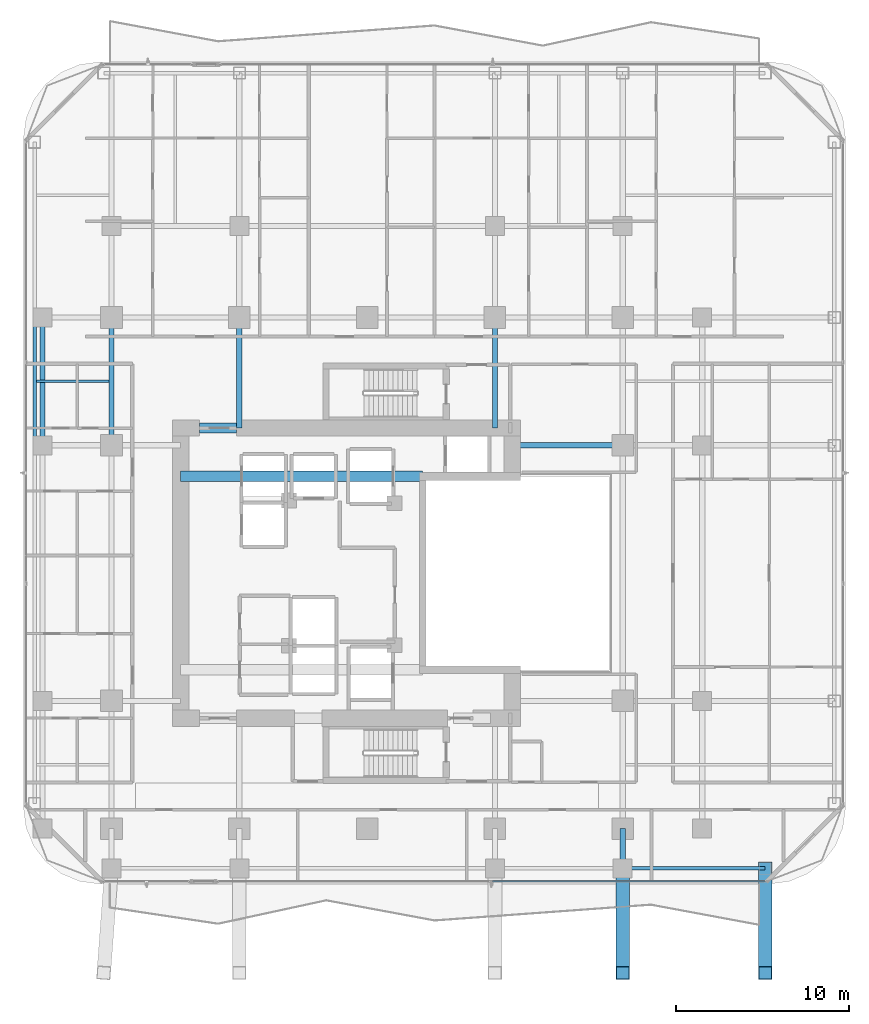
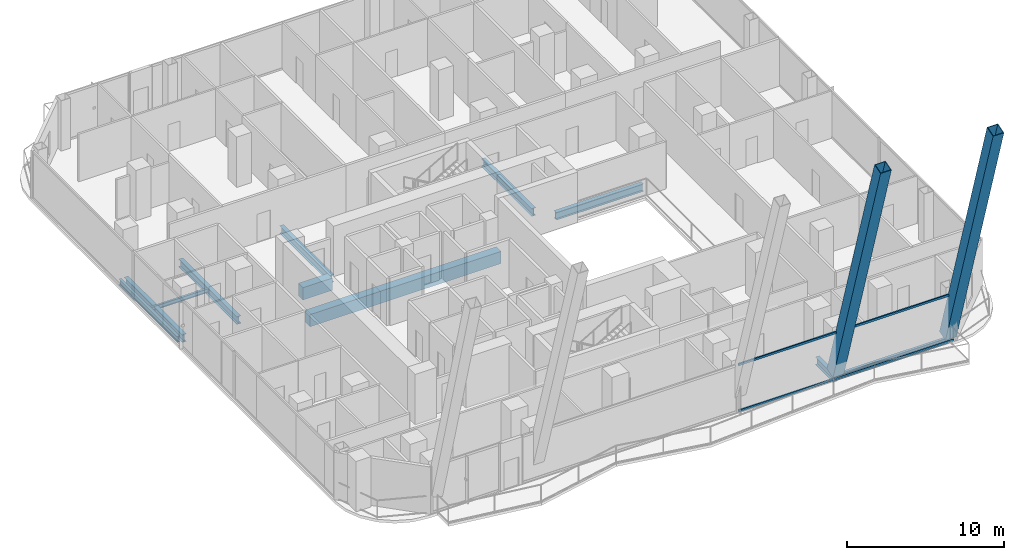
# One storey, part 7 of 30: 11 beams, 4 members, 1 element without a shape of its own.
"""IFC4 building model written with IfcOpenShell, lengths in metres."""

from ifc_helpers import new_model, si_unit, direction, frame, origin, origin_2d, place, context, subcontext, project, spatial, rectangle, hollow_rectangle, i_section, extrude, material, layer, layer_set, material_profile, profile_set, type_object, element, aggregate, save


model = new_model("IFC4")

# Units and contexts
model_context = context("Model", 3, precision=1e-05, world=origin(), true_north=direction((0.0, 1.0)))
body_context = subcontext(model_context, "Body", "Model", "MODEL_VIEW")
ifc_project = project(units=[si_unit("LENGTHUNIT", "METRE"), si_unit("AREAUNIT", "SQUARE_METRE"), si_unit("VOLUMEUNIT", "CUBIC_METRE"), si_unit("PLANEANGLEUNIT", "RADIAN"), si_unit("MASSUNIT", "GRAM", prefix="KILO")], contexts=[model_context])

# Site, building, storey
site_placement = place(None, origin())
site = spatial("IfcSite", under=ifc_project, at=site_placement, CompositionType="ELEMENT")
building_placement = place(site_placement, origin())
building = spatial("IfcBuilding", under=site, at=building_placement, Name="Khorvyn Point Tower", CompositionType="ELEMENT")
storey_placement = place(building_placement, frame((0.0, 0.0, 117.300048828125)))
storey = spatial("IfcBuildingStorey", under=building, at=storey_placement, Name="L29", CompositionType="ELEMENT", Elevation=117.300048828125)

# Curtain wall, members
ifc_material_1 = material(Name="Anodised aluminium 6063-T6 and laminated Low-E glass", Category="aluminium")
ifc_layer = layer(ifc_material_1, 0.18994140625)
ifc_layer_set = layer_set([ifc_layer], Name="Stick-Built Acoustic Curtain Wall CW-SYS-03")
curtain_wall_type = type_object("IfcCurtainWallType", Name="Stick-Built Acoustic Curtain Wall CW-SYS-03", PredefinedType="NOTDEFINED", material=ifc_layer_set)
curtain_wall_placement = place(storey_placement, origin())
curtain_wall = element("IfcCurtainWall", 1, at=curtain_wall_placement, inside=storey, type_object=curtain_wall_type, Name="Curtain Wall", PredefinedType="NOTDEFINED")
ifc_material_2 = material(Name="Anodised aluminium 6063-T6", Category="aluminium")
ifc_material_profile_1 = material_profile(ifc_material_2, hollow_rectangle(XDim=0.10009765625, YDim=0.159912109375, WallThickness=0.00439453125, at=origin_2d()))
ifc_profile_set_1 = profile_set([ifc_material_profile_1], Name="Anodised aluminium 6063-T6 ALU-TRN-100x160")
member_type_1 = type_object("IfcMemberType", Name="Anodised Aluminium 6063-T6 Transom ALU-TRN-100x160", PredefinedType="USERDEFINED", material=ifc_profile_set_1)
member_1_placement = place(storey_placement, frame((23.050048828125, -17.85009765625, 0.050048828125), z_axis=(-1.0, 0.0, 0.0), x_axis=(0.0, -1.0, 0.0)))
member_1 = element("IfcMember", 2, at=member_1_placement, type_object=member_type_1, Name="Transom", ObjectType="TRANSOM", PredefinedType="USERDEFINED", context=body_context, shape_type="SweptSolid", body=[
    extrude(hollow_rectangle(XDim=0.10009765625, YDim=0.159912109375, WallThickness=0.00439453125, at=origin_2d()), origin(), (0.0, 0.0, 1.0), 15.800537109375),
])
member_2_placement = place(storey_placement, frame((23.050048828125, -17.85009765625, 3.6298828125), z_axis=(-1.0, 0.0, 0.0), x_axis=(0.0, -1.0, 0.0)))
member_2 = element("IfcMember", 3, at=member_2_placement, type_object=member_type_1, Name="Transom", ObjectType="TRANSOM", PredefinedType="USERDEFINED", context=body_context, shape_type="SweptSolid", body=[
    extrude(hollow_rectangle(XDim=0.10009765625, YDim=0.159912109375, WallThickness=0.00439453125, at=origin_2d()), origin(), (0.0, 0.0, 1.0), 15.800537109375),
])
aggregate(curtain_wall, [member_1, member_2])

# Beams
ifc_material_3 = material(Name="Concrete C50/60", Category="concrete")
ifc_material_profile_2 = material_profile(ifc_material_3, rectangle(XDim=0.60009765625, YDim=0.949951171875, at=origin_2d()))
ifc_profile_set_2 = profile_set([ifc_material_profile_2], Name="Concrete C50/60 RC600x950")
beam_type_1 = type_object("IfcBeamType", Name="Concrete C50/60 Beam RC600x950", PredefinedType="BEAM", material=ifc_profile_set_2)
beam_1_placement = place(storey_placement, frame((-10.800048828125, 5.60009765625, -0.695068359375), z_axis=(1.0, 0.0, 0.0), x_axis=(0.0, 1.0, 0.0)))
element("IfcBeam", 4, at=beam_1_placement, inside=storey, type_object=beam_type_1, Name="L29 Core Internal Tie Girder N", PredefinedType="BEAM", context=body_context, shape_type="SweptSolid", body=[
    extrude(rectangle(XDim=0.60009765625, YDim=0.949951171875, at=origin_2d()), origin(), (0.0, 0.0, 1.0), 14.02001953125),
])
beam_2_placement = place(storey_placement, frame((-9.699951171875, 8.39990234375, -0.695068359375), z_axis=(1.0, 0.0, 0.0), x_axis=(0.0, 1.0, 0.0)))
element("IfcBeam", 5, at=beam_2_placement, inside=storey, type_object=beam_type_1, Name="L29 Core Northwest Portal Coupling Beam", PredefinedType="BEAM", context=body_context, shape_type="SweptSolid", body=[
    extrude(rectangle(XDim=0.60009765625, YDim=0.949951171875, at=origin_2d()), origin(), (0.0, 0.0, 1.0), 2.14990234375),
])
ifc_material_4 = material(Name="Steel S355", Category="steel")
ifc_material_profile_3 = material_profile(ifc_material_4, i_section(OverallWidth=0.300048828125, OverallDepth=0.587890625, WebThickness=0.011962890625, FlangeThickness=0.02001953125, at=origin_2d()))
ifc_profile_set_3 = profile_set([ifc_material_profile_3], Name="Steel S355 H588x300x12x20")
beam_type_2 = type_object("IfcBeamType", Name="Steel S355 Beam H588x300x12x20", PredefinedType="BEAM", material=ifc_profile_set_3)
beam_3_placement = place(storey_placement, frame((8.39990234375, 7.39990234375, -0.51416015625), z_axis=(1.0, 0.0, 0.0), x_axis=(0.0, 1.0, 0.0)))
element("IfcBeam", 6, at=beam_3_placement, inside=storey, type_object=beam_type_2, Name="Beam", PredefinedType="BEAM", context=body_context, shape_type="SweptSolid", body=[
    extrude(i_section(OverallWidth=0.300048828125, OverallDepth=0.587890625, WebThickness=0.011962890625, FlangeThickness=0.02001953125, at=origin_2d()), origin(), (0.0, 0.0, 1.0), 6.400146484375),
])
beam_4_placement = place(storey_placement, frame((-14.800048828125, 7.39990234375, -0.51416015625), z_axis=(0.0, 1.0, 0.0), x_axis=(-1.0, 0.0, 0.0)))
element("IfcBeam", 7, at=beam_4_placement, inside=storey, type_object=beam_type_2, Name="Beam", PredefinedType="BEAM", context=body_context, shape_type="SweptSolid", body=[
    extrude(i_section(OverallWidth=0.300048828125, OverallDepth=0.587890625, WebThickness=0.011962890625, FlangeThickness=0.02001953125, at=origin_2d()), origin(), (0.0, 0.0, 1.0), 7.400146484375),
])
beam_5_placement = place(storey_placement, frame((14.800048828125, -17.10009765625, -0.51416015625), z_axis=(0.0, 1.0, 0.0), x_axis=(-1.0, 0.0, 0.0)))
element("IfcBeam", 8, at=beam_5_placement, inside=storey, type_object=beam_type_2, Name="Beam", PredefinedType="BEAM", context=body_context, shape_type="SweptSolid", body=[
    extrude(i_section(OverallWidth=0.300048828125, OverallDepth=0.587890625, WebThickness=0.011962890625, FlangeThickness=0.02001953125, at=origin_2d()), origin(), (0.0, 0.0, 1.0), 2.300048828125),
])
for number, where, z_axis, x_axis, name in (
    (9, (-7.39990234375, 8.39990234375, -0.51416015625), (0.0, 1.0, 0.0), (-1.0, 0.0, 0.0), "Beam"),
    (10, (7.39990234375, 8.39990234375, -0.51416015625), (0.0, 1.0, 0.0), (-1.0, 0.0, 0.0), "Beam"),
):
    element("IfcBeam", number, at=place(storey_placement, frame(where, z_axis=z_axis, x_axis=x_axis)), inside=storey, type_object=beam_type_2, Name=name, PredefinedType="BEAM", context=body_context, shape_type="SweptSolid", body=[
        extrude(i_section(OverallWidth=0.300048828125, OverallDepth=0.587890625, WebThickness=0.011962890625, FlangeThickness=0.02001953125, at=origin_2d()), origin(), (0.0, 0.0, 1.0), 6.400146484375),
    ])
beam_6_placement = place(storey_placement, frame((-18.800048828125, 7.39990234375, -0.51416015625), z_axis=(0.0, 1.0, 0.0), x_axis=(-1.0, 0.0, 0.0)))
element("IfcBeam", 11, at=beam_6_placement, inside=storey, type_object=beam_type_2, Name="Beam", PredefinedType="BEAM", context=body_context, shape_type="SweptSolid", body=[
    extrude(i_section(OverallWidth=0.300048828125, OverallDepth=0.587890625, WebThickness=0.011962890625, FlangeThickness=0.02001953125, at=origin_2d()), origin(), (0.0, 0.0, 1.0), 7.400146484375),
])
ifc_material_profile_4 = material_profile(ifc_material_4, i_section(OverallWidth=0.14990234375, OverallDepth=0.300048828125, WebThickness=0.006591796875, FlangeThickness=0.009033203125, at=origin_2d()))
ifc_profile_set_4 = profile_set([ifc_material_profile_4], Name="Steel S355 H300x150x6.5x9")
beam_type_3 = type_object("IfcBeamType", Name="Steel S355 Joist H300x150x6.5x9", PredefinedType="JOIST", material=ifc_profile_set_4)
beam_7_placement = place(storey_placement, frame((-19.14990234375, 11.10009765625, -0.3701171875), z_axis=(1.0, 0.0, 0.0), x_axis=(0.0, 1.0, 0.0)))
element("IfcBeam", 12, at=beam_7_placement, inside=storey, type_object=beam_type_3, Name="Beam", PredefinedType="JOIST", context=body_context, shape_type="SweptSolid", body=[
    extrude(i_section(OverallWidth=0.14990234375, OverallDepth=0.300048828125, WebThickness=0.006591796875, FlangeThickness=0.009033203125, at=origin_2d()), origin(), (0.0, 0.0, 1.0), 4.199951171875),
])
ifc_material_profile_5 = material_profile(ifc_material_4, i_section(OverallWidth=0.199951171875, OverallDepth=0.449951171875, WebThickness=0.009033203125, FlangeThickness=0.013916015625, at=origin_2d()))
ifc_profile_set_5 = profile_set([ifc_material_profile_5], Name="Steel S355 H450x200x9x14")
beam_type_4 = type_object("IfcBeamType", Name="Steel S355 Spandrel H450x200x9x14", PredefinedType="SPANDREL", material=ifc_profile_set_5)
beam_8_placement = place(storey_placement, frame((14.800048828125, -17.10009765625, -0.445068359375), z_axis=(1.0, 0.0, 0.0), x_axis=(0.0, 1.0, 0.0)))
element("IfcBeam", 13, at=beam_8_placement, inside=storey, type_object=beam_type_4, Name="Beam", PredefinedType="SPANDREL", context=body_context, shape_type="SweptSolid", body=[
    extrude(i_section(OverallWidth=0.199951171875, OverallDepth=0.449951171875, WebThickness=0.009033203125, FlangeThickness=0.013916015625, at=origin_2d()), origin(), (0.0, 0.0, 1.0), 8.25),
])
beam_9_placement = place(storey_placement, frame((-19.25, 7.39990234375, -0.445068359375), z_axis=(0.0, 1.0, 0.0), x_axis=(-1.0, 0.0, 0.0)))
element("IfcBeam", 14, at=beam_9_placement, inside=storey, type_object=beam_type_4, Name="Beam", PredefinedType="SPANDREL", context=body_context, shape_type="SweptSolid", body=[
    extrude(i_section(OverallWidth=0.199951171875, OverallDepth=0.449951171875, WebThickness=0.009033203125, FlangeThickness=0.013916015625, at=origin_2d()), origin(), (0.0, 0.0, 1.0), 7.400146484375),
])

# Members
ifc_material_5 = material(Name="Steel S450", Category="steel")
ifc_material_profile_6 = material_profile(ifc_material_5, hollow_rectangle(XDim=0.800048828125, YDim=0.800048828125, WallThickness=0.035888671875, at=origin_2d()))
ifc_profile_set_6 = profile_set([ifc_material_profile_6], Name="Steel S450 BOX800x800x36")
member_type_2 = type_object("IfcMemberType", Name="Steel S450 Exoskeleton Structural Post BOX800x800x36", PredefinedType="POST", material=ifc_profile_set_6)
for number, where, z_axis, x_axis, name in (
    (15, (23.050048828125, -17.10009765625, 0.0), (0.0, -0.296313460149, 0.955090746126), (1.0, 0.0, 0.0), "L29 to L34 Exoskeleton Transfer Post 02"),
    (16, (14.800048828125, -17.10009765625, 0.0), (0.0, -0.296313460149, 0.955090746126), (1.0, 0.0, 0.0), "L29 to L34 Exoskeleton Transfer Post 13"),
):
    element("IfcMember", number, at=place(storey_placement, frame(where, z_axis=z_axis, x_axis=x_axis)), inside=storey, type_object=member_type_2, Name=name, PredefinedType="POST", context=body_context, shape_type="SweptSolid", body=[
        extrude(hollow_rectangle(XDim=0.800048828125, YDim=0.800048828125, WallThickness=0.035888671875, at=origin_2d()), origin(), (0.0, 0.0, 1.0), 20.4169921875),
    ])

save(model, "model.ifc")
